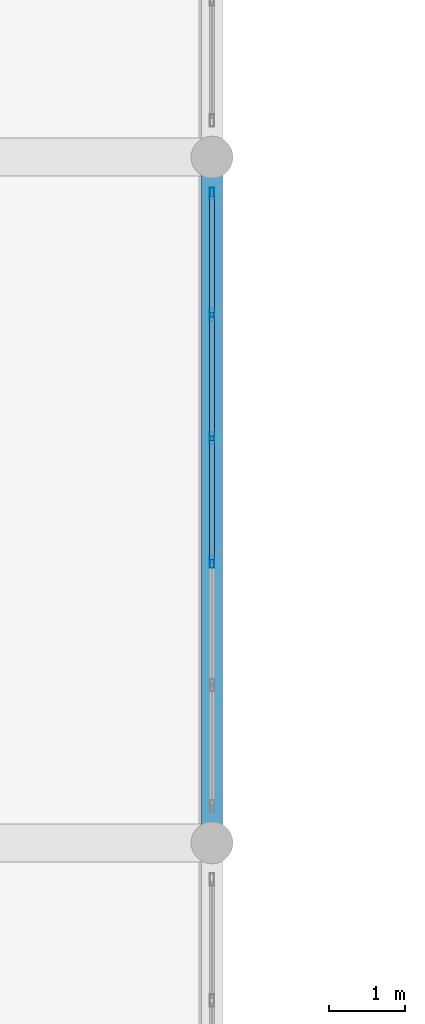
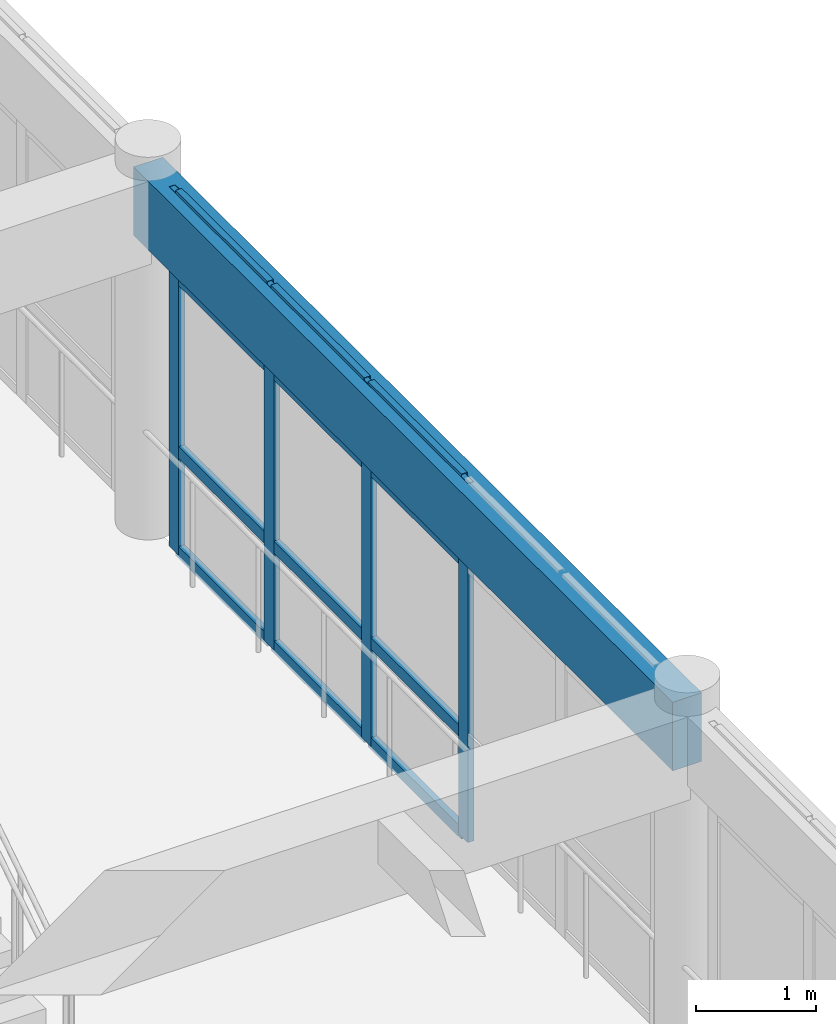
# One storey, part 35 of 156: 16 members, 1 beam, 1 element without a shape of its own.
"""IFC4 building model written with IfcOpenShell, lengths in metres."""

from ifc_helpers import new_model, si_unit, direction, frame, origin, origin_2d, place, context, subcontext, project, spatial, rectangle, hollow_rectangle, extrude, material, layer, layer_set, material_profile, profile_set, type_object, element, aggregate, save


model = new_model("IFC4")

# Units and contexts
model_context = context("Model", 3, precision=1e-05, world=origin(), true_north=direction((0.0, 1.0)))
body_context = subcontext(model_context, "Body", "Model", "MODEL_VIEW")
ifc_project = project(units=[si_unit("LENGTHUNIT", "METRE"), si_unit("AREAUNIT", "SQUARE_METRE"), si_unit("VOLUMEUNIT", "CUBIC_METRE"), si_unit("PLANEANGLEUNIT", "RADIAN"), si_unit("MASSUNIT", "GRAM", prefix="KILO")], contexts=[model_context])

# Site, building, storey
site_placement = place(None, origin())
site = spatial("IfcSite", under=ifc_project, at=site_placement, CompositionType="ELEMENT")
building_placement = place(site_placement, origin())
building = spatial("IfcBuilding", under=site, at=building_placement, Name="Ornek Quay Market", CompositionType="ELEMENT")
storey_placement = place(building_placement, frame((0.0, 0.0, 4.5)))
storey = spatial("IfcBuildingStorey", under=building, at=storey_placement, Name="L01", CompositionType="ELEMENT", Elevation=4.5)

# Beam
ifc_material_1 = material(Name="Concrete C35/45", Category="concrete")
ifc_material_profile_1 = material_profile(ifc_material_1, rectangle(XDim=0.280029296875, YDim=0.699951171875, at=origin_2d()), Name="RC 280x700", Category="concrete")
ifc_profile_set_1 = profile_set([ifc_material_profile_1], Name="Concrete C35/45")
beam_type = type_object("IfcBeamType", Name="BM-SPN-280x700", PredefinedType="SPANDREL", material=ifc_profile_set_1)
beam_placement = place(storey_placement, frame((72.0, 65.0, 3.31005859375), z_axis=(0.0, 1.0, 0.0), x_axis=(-1.0, 0.0, 0.0)))
element("IfcBeam", 1, at=beam_placement, inside=storey, type_object=beam_type, Name="Primary beam B-SP2-065", PredefinedType="SPANDREL", context=body_context, shape_type="SweptSolid", body=[
    extrude(rectangle(XDim=0.280029296875, YDim=0.699951171875, at=origin_2d()), origin(), (0.0, 0.0, 1.0), 9.0),
])

# Curtain wall, members
ifc_material_2 = material(Name="Anodised bronze aluminium and triple low-e glass", Category="aluminium")
ifc_layer = layer(ifc_material_2, 0.139892578125, Name="Anodised bronze aluminium and triple low-e glass", Category="aluminium")
ifc_layer_set = layer_set([ifc_layer], Name="Anodised bronze aluminium and triple low-e glass")
curtain_wall_type = type_object("IfcCurtainWallType", Name="CW-GALLERY-INT", PredefinedType="USERDEFINED", material=ifc_layer_set)
curtain_wall_placement = place(storey_placement, origin())
curtain_wall = element("IfcCurtainWall", 2, at=curtain_wall_placement, inside=storey, type_object=curtain_wall_type, Name="Curtain wall CW-101", ObjectType="CURTAIN WALL", PredefinedType="USERDEFINED")
ifc_material_3 = material(Name="Anodised aluminium 6063-T6", Category="aluminium")
ifc_material_profile_2 = material_profile(ifc_material_3, hollow_rectangle(XDim=0.06005859375, YDim=0.159912109375, WallThickness=0.00390625, at=origin_2d()), Name="CW-MUL-60x160", Category="aluminium")
ifc_profile_set_2 = profile_set([ifc_material_profile_2], Name="Anodised aluminium 6063-T6")
member_type_1 = type_object("IfcMemberType", Name="CW-MUL-60x160", PredefinedType="MULLION", material=ifc_profile_set_2)
member_1_placement = place(storey_placement, frame((72.0, 68.68994140625, 0.0), z_axis=(0.0, 0.0, 1.0), x_axis=(-1.0, 0.0, 0.0)))
member_1 = element("IfcMember", 3, at=member_1_placement, type_object=member_type_1, Name="CW-101 mullion 3", PredefinedType="MULLION", context=body_context, shape_type="SweptSolid", body=[
    extrude(hollow_rectangle(XDim=0.06005859375, YDim=0.159912109375, WallThickness=0.00390625, at=origin_2d()), origin(), (0.0, 0.0, 1.0), 3.659912109375),
])
member_2_placement = place(storey_placement, frame((72.0, 70.31005859375, 0.0), z_axis=(0.0, 0.0, 1.0), x_axis=(-1.0, 0.0, 0.0)))
member_2 = element("IfcMember", 4, at=member_2_placement, type_object=member_type_1, Name="CW-101 mullion 4", PredefinedType="MULLION", context=body_context, shape_type="SweptSolid", body=[
    extrude(hollow_rectangle(XDim=0.06005859375, YDim=0.159912109375, WallThickness=0.00390625, at=origin_2d()), origin(), (0.0, 0.0, 1.0), 3.659912109375),
])
member_3_placement = place(storey_placement, frame((72.0, 71.929931640625, 0.0), z_axis=(0.0, 0.0, 1.0), x_axis=(-1.0, 0.0, 0.0)))
member_3 = element("IfcMember", 5, at=member_3_placement, type_object=member_type_1, Name="CW-101 mullion 5", PredefinedType="MULLION", context=body_context, shape_type="SweptSolid", body=[
    extrude(hollow_rectangle(XDim=0.06005859375, YDim=0.159912109375, WallThickness=0.00390625, at=origin_2d()), origin(), (0.0, 0.0, 1.0), 3.659912109375),
])
member_4_placement = place(storey_placement, frame((72.0, 73.52001953125, 0.0), z_axis=(0.0, 0.0, 1.0), x_axis=(-1.0, 0.0, 0.0)))
member_4 = element("IfcMember", 6, at=member_4_placement, type_object=member_type_1, Name="CW-101 mullion 6", PredefinedType="MULLION", context=body_context, shape_type="SweptSolid", body=[
    extrude(hollow_rectangle(XDim=0.06005859375, YDim=0.159912109375, WallThickness=0.00390625, at=origin_2d()), origin(), (0.0, 0.0, 1.0), 3.659912109375),
])
ifc_material_profile_3 = material_profile(ifc_material_3, hollow_rectangle(XDim=0.06005859375, YDim=0.1201171875, WallThickness=0.00390625, at=origin_2d()), Name="CW-TRN-60x120", Category="aluminium")
ifc_profile_set_3 = profile_set([ifc_material_profile_3], Name="Anodised aluminium 6063-T6")
member_type_2 = type_object("IfcMemberType", Name="CW-TRN-60x120", PredefinedType="USERDEFINED", material=ifc_profile_set_3)
member_5_placement = place(storey_placement, frame((72.0, 68.719970703125, 0.030029296875), z_axis=(0.0, 1.0, 0.0), x_axis=(-1.0, 0.0, 0.0)))
member_5 = element("IfcMember", 7, at=member_5_placement, type_object=member_type_2, Name="CW-101 transom 3.1", ObjectType="TRANSOM", PredefinedType="USERDEFINED", context=body_context, shape_type="SweptSolid", body=[
    extrude(hollow_rectangle(XDim=0.06005859375, YDim=0.1201171875, WallThickness=0.00390625, at=origin_2d()), origin(), (0.0, 0.0, 1.0), 1.56005859375),
])
member_6_placement = place(storey_placement, frame((72.0, 68.719970703125, 1.050048828125), z_axis=(0.0, 1.0, 0.0), x_axis=(-1.0, 0.0, 0.0)))
member_6 = element("IfcMember", 8, at=member_6_placement, type_object=member_type_2, Name="CW-101 transom 3.2", ObjectType="TRANSOM", PredefinedType="USERDEFINED", context=body_context, shape_type="SweptSolid", body=[
    extrude(hollow_rectangle(XDim=0.06005859375, YDim=0.1201171875, WallThickness=0.00390625, at=origin_2d()), origin(), (0.0, 0.0, 1.0), 1.56005859375),
])
member_7_placement = place(storey_placement, frame((72.0, 68.719970703125, 2.81005859375), z_axis=(0.0, 1.0, 0.0), x_axis=(-1.0, 0.0, 0.0)))
member_7 = element("IfcMember", 9, at=member_7_placement, type_object=member_type_2, Name="CW-101 transom 3.3", ObjectType="TRANSOM", PredefinedType="USERDEFINED", context=body_context, shape_type="SweptSolid", body=[
    extrude(hollow_rectangle(XDim=0.06005859375, YDim=0.1201171875, WallThickness=0.00390625, at=origin_2d()), origin(), (0.0, 0.0, 1.0), 1.56005859375),
])
member_8_placement = place(storey_placement, frame((72.0, 68.719970703125, 3.6298828125), z_axis=(0.0, 1.0, 0.0), x_axis=(-1.0, 0.0, 0.0)))
member_8 = element("IfcMember", 10, at=member_8_placement, type_object=member_type_2, Name="CW-101 transom 3.4", ObjectType="TRANSOM", PredefinedType="USERDEFINED", context=body_context, shape_type="SweptSolid", body=[
    extrude(hollow_rectangle(XDim=0.06005859375, YDim=0.1201171875, WallThickness=0.00390625, at=origin_2d()), origin(), (0.0, 0.0, 1.0), 1.56005859375),
])
member_9_placement = place(storey_placement, frame((72.0, 70.340087890625, 0.030029296875), z_axis=(0.0, 1.0, 0.0), x_axis=(-1.0, 0.0, 0.0)))
member_9 = element("IfcMember", 11, at=member_9_placement, type_object=member_type_2, Name="CW-101 transom 4.1", ObjectType="TRANSOM", PredefinedType="USERDEFINED", context=body_context, shape_type="SweptSolid", body=[
    extrude(hollow_rectangle(XDim=0.06005859375, YDim=0.1201171875, WallThickness=0.00390625, at=origin_2d()), origin(), (0.0, 0.0, 1.0), 1.559814453125),
])
member_10_placement = place(storey_placement, frame((72.0, 70.340087890625, 1.050048828125), z_axis=(0.0, 1.0, 0.0), x_axis=(-1.0, 0.0, 0.0)))
member_10 = element("IfcMember", 12, at=member_10_placement, type_object=member_type_2, Name="CW-101 transom 4.2", ObjectType="TRANSOM", PredefinedType="USERDEFINED", context=body_context, shape_type="SweptSolid", body=[
    extrude(hollow_rectangle(XDim=0.06005859375, YDim=0.1201171875, WallThickness=0.00390625, at=origin_2d()), origin(), (0.0, 0.0, 1.0), 1.559814453125),
])
member_11_placement = place(storey_placement, frame((72.0, 70.340087890625, 2.81005859375), z_axis=(0.0, 1.0, 0.0), x_axis=(-1.0, 0.0, 0.0)))
member_11 = element("IfcMember", 13, at=member_11_placement, type_object=member_type_2, Name="CW-101 transom 4.3", ObjectType="TRANSOM", PredefinedType="USERDEFINED", context=body_context, shape_type="SweptSolid", body=[
    extrude(hollow_rectangle(XDim=0.06005859375, YDim=0.1201171875, WallThickness=0.00390625, at=origin_2d()), origin(), (0.0, 0.0, 1.0), 1.559814453125),
])
member_12_placement = place(storey_placement, frame((72.0, 70.340087890625, 3.6298828125), z_axis=(0.0, 1.0, 0.0), x_axis=(-1.0, 0.0, 0.0)))
member_12 = element("IfcMember", 14, at=member_12_placement, type_object=member_type_2, Name="CW-101 transom 4.4", ObjectType="TRANSOM", PredefinedType="USERDEFINED", context=body_context, shape_type="SweptSolid", body=[
    extrude(hollow_rectangle(XDim=0.06005859375, YDim=0.1201171875, WallThickness=0.00390625, at=origin_2d()), origin(), (0.0, 0.0, 1.0), 1.559814453125),
])
member_13_placement = place(storey_placement, frame((72.0, 71.9599609375, 0.030029296875), z_axis=(0.0, 1.0, 0.0), x_axis=(-1.0, 0.0, 0.0)))
member_13 = element("IfcMember", 15, at=member_13_placement, type_object=member_type_2, Name="CW-101 transom 5.1", ObjectType="TRANSOM", PredefinedType="USERDEFINED", context=body_context, shape_type="SweptSolid", body=[
    extrude(hollow_rectangle(XDim=0.06005859375, YDim=0.1201171875, WallThickness=0.00390625, at=origin_2d()), origin(), (0.0, 0.0, 1.0), 1.530029296875),
])
member_14_placement = place(storey_placement, frame((72.0, 71.9599609375, 1.050048828125), z_axis=(0.0, 1.0, 0.0), x_axis=(-1.0, 0.0, 0.0)))
member_14 = element("IfcMember", 16, at=member_14_placement, type_object=member_type_2, Name="CW-101 transom 5.2", ObjectType="TRANSOM", PredefinedType="USERDEFINED", context=body_context, shape_type="SweptSolid", body=[
    extrude(hollow_rectangle(XDim=0.06005859375, YDim=0.1201171875, WallThickness=0.00390625, at=origin_2d()), origin(), (0.0, 0.0, 1.0), 1.530029296875),
])
member_15_placement = place(storey_placement, frame((72.0, 71.9599609375, 2.81005859375), z_axis=(0.0, 1.0, 0.0), x_axis=(-1.0, 0.0, 0.0)))
member_15 = element("IfcMember", 17, at=member_15_placement, type_object=member_type_2, Name="CW-101 transom 5.3", ObjectType="TRANSOM", PredefinedType="USERDEFINED", context=body_context, shape_type="SweptSolid", body=[
    extrude(hollow_rectangle(XDim=0.06005859375, YDim=0.1201171875, WallThickness=0.00390625, at=origin_2d()), origin(), (0.0, 0.0, 1.0), 1.530029296875),
])
member_16_placement = place(storey_placement, frame((72.0, 71.9599609375, 3.6298828125), z_axis=(0.0, 1.0, 0.0), x_axis=(-1.0, 0.0, 0.0)))
member_16 = element("IfcMember", 18, at=member_16_placement, type_object=member_type_2, Name="CW-101 transom 5.4", ObjectType="TRANSOM", PredefinedType="USERDEFINED", context=body_context, shape_type="SweptSolid", body=[
    extrude(hollow_rectangle(XDim=0.06005859375, YDim=0.1201171875, WallThickness=0.00390625, at=origin_2d()), origin(), (0.0, 0.0, 1.0), 1.530029296875),
])
aggregate(curtain_wall, [member_1, member_2, member_3, member_4, member_5, member_6, member_7, member_8, member_9, member_10, member_11, member_12, member_13, member_14, member_15, member_16])

save(model, "model.ifc")
